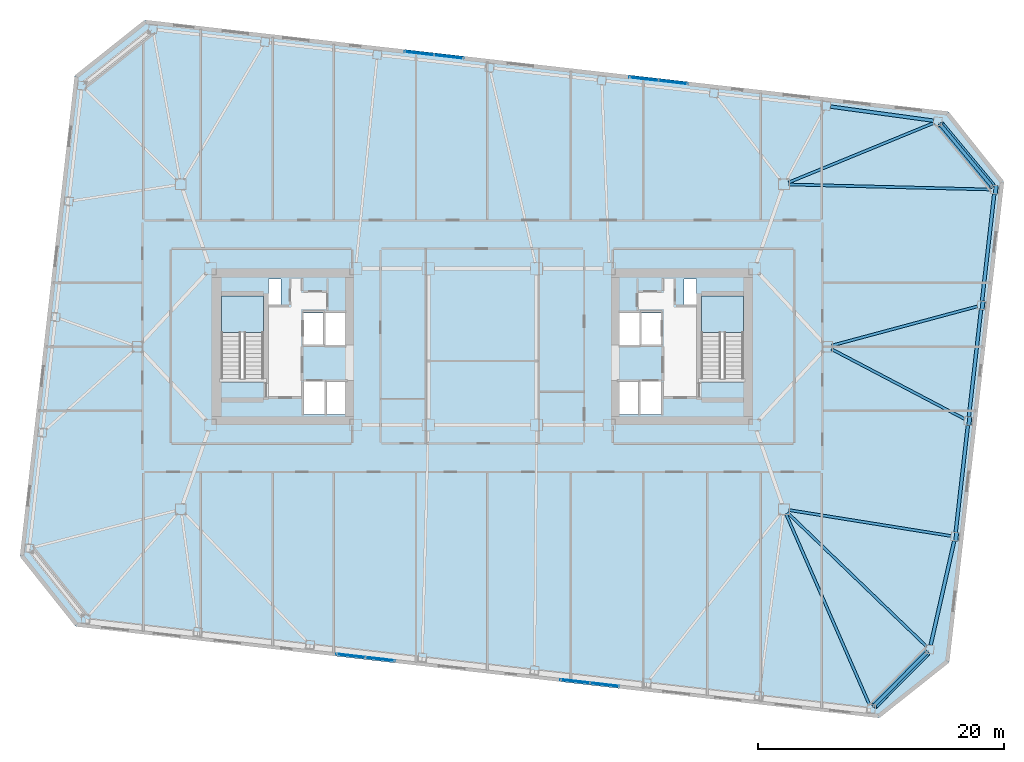
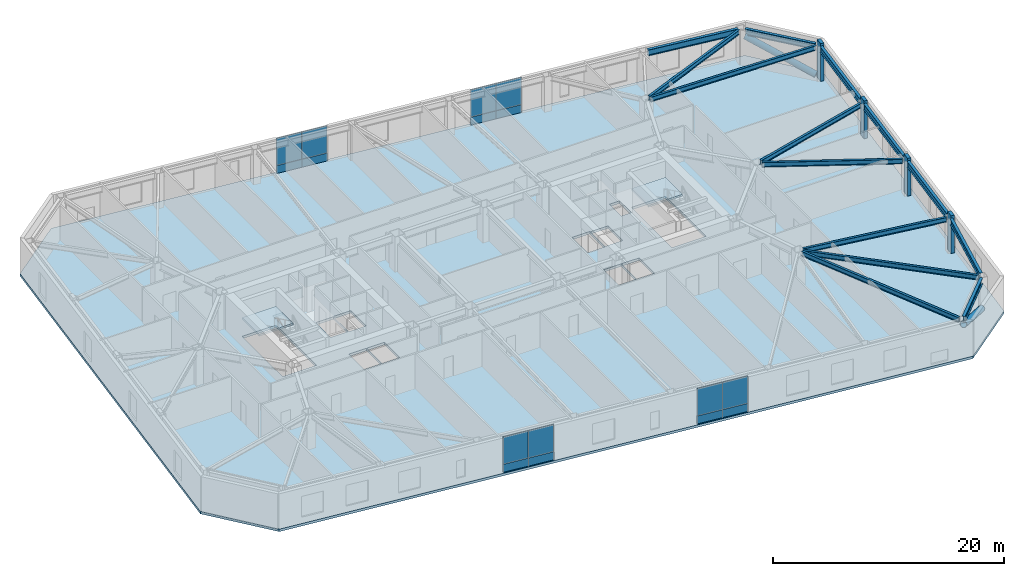
# One storey, part 10 of 21: 16 plates, 14 beams, 6 members, 3 slabs, 6 elements without a shape of their own.
"""IFC4 building model written with IfcOpenShell, lengths in metres."""

from ifc_helpers import new_model, si_unit, direction, frame, origin, origin_2d, place, context, subcontext, project, spatial, polyline, rectangle, hollow_circle, i_section, outline, extrude, material, layer, layer_set, material_profile, profile_set, type_object, element, aggregate, save


model = new_model("IFC4")

# Units and contexts
model_context = context("Model", 3, precision=1e-05, world=origin(), true_north=direction((0.0, 1.0)))
body_context = subcontext(model_context, "Body", "Model", "MODEL_VIEW")
ifc_project = project(units=[si_unit("LENGTHUNIT", "METRE"), si_unit("AREAUNIT", "SQUARE_METRE"), si_unit("VOLUMEUNIT", "CUBIC_METRE"), si_unit("PLANEANGLEUNIT", "RADIAN"), si_unit("MASSUNIT", "GRAM", prefix="KILO")], contexts=[model_context])

# Site, building, storey
site_placement = place(None, origin())
site = spatial("IfcSite", under=ifc_project, at=site_placement, CompositionType="ELEMENT")
building_placement = place(site_placement, origin())
building = spatial("IfcBuilding", under=site, at=building_placement, Name="Tavrogorsk Clinical Tower", CompositionType="ELEMENT")
storey_placement = place(building_placement, frame((0.0, 0.0, 137.39990234375)))
storey = spatial("IfcBuildingStorey", under=building, at=storey_placement, Name="L31", CompositionType="ELEMENT", Elevation=137.39990234375)

# Members
ifc_material_1 = material(Name="Structural steel S440", Category="steel")
ifc_material_profile_1 = material_profile(ifc_material_1, hollow_circle(Radius=0.304931640625, WallThickness=0.02490234375, at=origin_2d()), Name="CHS-610x25")
ifc_profile_set_1 = profile_set([ifc_material_profile_1], Name="Structural steel S440")
member_type_1 = type_object("IfcMemberType", Name="ExoBrace_CHS610", PredefinedType="BRACE", material=ifc_profile_set_1)
member_1_placement = place(storey_placement, frame((36.1025390625, -24.82763671875, 0.4345703125), z_axis=(-0.651430241483, -0.659222469252, 0.375585378463), x_axis=(0.711298174517, -0.702890394677, 0.0)))
element("IfcMember", 1, at=member_1_placement, inside=storey, type_object=member_type_1, Name="L31 Corner Exoskeleton Brace S8-E1", PredefinedType="BRACE", context=body_context, shape_type="SweptSolid", body=[
    extrude(hollow_circle(Radius=0.304931640625, WallThickness=0.02490234375, at=origin_2d()), origin(), (0.0, 0.0, 1.0), 6.57958984375),
])
member_2_placement = place(storey_placement, frame((41.40771484375, 13.03076171875, 0.427001953125), z_axis=(-0.598616328588, 0.718269947263, 0.354607915882), x_axis=(-0.768190751014, -0.640221032189, 0.0)))
element("IfcMember", 2, at=member_2_placement, inside=storey, type_object=member_type_1, Name="L31 Corner Exoskeleton Brace E5-N1", PredefinedType="BRACE", context=body_context, shape_type="SweptSolid", body=[
    extrude(hollow_circle(Radius=0.304931640625, WallThickness=0.02490234375, at=origin_2d()), origin(), (0.0, 0.0, 1.0), 7.0107421875),
])

# Beams
ifc_material_2 = material(Name="Structural steel S355", Category="steel")
ifc_material_profile_2 = material_profile(ifc_material_2, i_section(OverallWidth=0.219970703125, OverallDepth=0.5, WebThickness=0.012939453125, FlangeThickness=0.02001953125, at=origin_2d()), Name="B-500x220x13x20")
ifc_profile_set_2 = profile_set([ifc_material_profile_2], Name="Structural steel S355")
beam_type_1 = type_object("IfcBeamType", Name="FloorBeam_B500", PredefinedType="BEAM", material=ifc_profile_set_2)
beam_1_placement = place(storey_placement, frame((24.664306640625, -13.57568359375, 3.489990234375), z_axis=(0.400586354613, -0.916259009504, 0.0), x_axis=(0.916259009504, 0.400586354613, 0.0)))
element("IfcBeam", 3, at=beam_1_placement, inside=storey, type_object=beam_type_1, Name="L31 Radial Floor Beam S8", PredefinedType="BEAM", context=body_context, shape_type="SweptSolid", body=[
    extrude(i_section(OverallWidth=0.219970703125, OverallDepth=0.5, WebThickness=0.012939453125, FlangeThickness=0.02001953125, at=origin_2d()), origin(), (0.0, 0.0, 1.0), 16.91357421875),
])
beam_2_placement = place(storey_placement, frame((24.87939453125, 13.35546875, 3.489990234375), z_axis=(0.925250223374, 0.379357383143, 0.0), x_axis=(-0.379357383143, 0.925250223374, 0.0)))
element("IfcBeam", 4, at=beam_2_placement, inside=storey, type_object=beam_type_1, Name="L31 Radial Floor Beam N1", PredefinedType="BEAM", context=body_context, shape_type="SweptSolid", body=[
    extrude(i_section(OverallWidth=0.219970703125, OverallDepth=0.5, WebThickness=0.012939453125, FlangeThickness=0.02001953125, at=origin_2d()), origin(), (0.0, 0.0, 1.0), 12.738037109375),
])
beam_3_placement = place(storey_placement, frame((24.79541015625, -13.484375, 3.489990234375), z_axis=(0.720494740362, -0.693460401977, 0.0), x_axis=(0.693460401977, 0.720494740362, 0.0)))
element("IfcBeam", 5, at=beam_3_placement, inside=storey, type_object=beam_type_1, Name="L31 Radial Floor Beam E1", PredefinedType="BEAM", context=body_context, shape_type="SweptSolid", body=[
    extrude(i_section(OverallWidth=0.219970703125, OverallDepth=0.5, WebThickness=0.012939453125, FlangeThickness=0.02001953125, at=origin_2d()), origin(), (0.0, 0.0, 1.0), 15.659423828125),
])
beam_4_placement = place(storey_placement, frame((24.90478515625, -13.2646484375, 3.489990234375), z_axis=(0.987456527754, -0.157891120067, 0.0), x_axis=(0.157891120067, 0.987456527754, 0.0)))
element("IfcBeam", 6, at=beam_4_placement, inside=storey, type_object=beam_type_1, Name="L31 Radial Floor Beam E2", PredefinedType="BEAM", context=body_context, shape_type="SweptSolid", body=[
    extrude(i_section(OverallWidth=0.219970703125, OverallDepth=0.5, WebThickness=0.012939453125, FlangeThickness=0.02001953125, at=origin_2d()), origin(), (0.0, 0.0, 1.0), 13.31787109375),
])
beam_5_placement = place(storey_placement, frame((28.363037109375, -0.1904296875, 3.489990234375), z_axis=(0.885467298335, -0.464701693111, 0.0), x_axis=(0.464701693111, 0.885467298335, 0.0)))
element("IfcBeam", 7, at=beam_5_placement, inside=storey, type_object=beam_type_1, Name="L31 Radial Floor Beam E3", PredefinedType="BEAM", context=body_context, shape_type="SweptSolid", body=[
    extrude(i_section(OverallWidth=0.219970703125, OverallDepth=0.5, WebThickness=0.012939453125, FlangeThickness=0.02001953125, at=origin_2d()), origin(), (0.0, 0.0, 1.0), 12.197021484375),
])
beam_6_placement = place(storey_placement, frame((28.39599609375, 0.1064453125, 3.489990234375), z_axis=(0.965705720144, 0.259639099677, 0.0), x_axis=(-0.259639099677, 0.965705720144, 0.0)))
element("IfcBeam", 8, at=beam_6_placement, inside=storey, type_object=beam_type_1, Name="L31 Radial Floor Beam E4", PredefinedType="BEAM", context=body_context, shape_type="SweptSolid", body=[
    extrude(i_section(OverallWidth=0.219970703125, OverallDepth=0.5, WebThickness=0.012939453125, FlangeThickness=0.02001953125, at=origin_2d()), origin(), (0.0, 0.0, 1.0), 12.228759765625),
])
beam_7_placement = place(storey_placement, frame((24.909912109375, 13.189697265625, 3.489990234375), z_axis=(0.999690121031, -0.024893009314, 0.0), x_axis=(0.024893009314, 0.999690121031, 0.0)))
element("IfcBeam", 9, at=beam_7_placement, inside=storey, type_object=beam_type_1, Name="L31 Radial Floor Beam E5", PredefinedType="BEAM", context=body_context, shape_type="SweptSolid", body=[
    extrude(i_section(OverallWidth=0.219970703125, OverallDepth=0.5, WebThickness=0.012939453125, FlangeThickness=0.02001953125, at=origin_2d()), origin(), (0.0, 0.0, 1.0), 16.359130859375),
])

# Members
ifc_material_3 = material(Name="Precast concrete B45 with limestone cladding", Category="masonry")
ifc_material_profile_3 = material_profile(ifc_material_3, rectangle(XDim=0.320068359375, YDim=0.719970703125, at=origin_2d()), Name="LIMESTONE-FIN-320x720")
ifc_profile_set_3 = profile_set([ifc_material_profile_3], Name="Precast concrete B45 with limestone cladding")
member_type_2 = type_object("IfcMemberType", Name="LimestonePleatFin_320x720", PredefinedType="USERDEFINED", material=ifc_profile_set_3)
for number, where, z_axis, x_axis, name in (
    (10, (38.48876953125, -15.432861328125, 0.0), (0.0, 0.0, 1.0), (0.993571855677, -0.113203213768, 0.0), "L31 E Pleated Stone Fin 1"),
    (11, (39.5595703125, -6.03369140625, 0.0), (0.0, 0.0, 1.0), (0.993571855677, -0.113203213768, 0.0), "L31 E Pleated Stone Fin 2"),
    (12, (40.63037109375, 3.365234375, 0.0), (0.0, 0.0, 1.0), (0.993571855677, -0.113203213768, 0.0), "L31 E Pleated Stone Fin 3"),
    (13, (41.701416015625, 12.7646484375, 0.0), (0.0, 0.0, 1.0), (0.993571855677, -0.113203213768, 0.0), "L31 E Pleated Stone Fin 4"),
):
    element("IfcMember", number, at=place(storey_placement, frame(where, z_axis=z_axis, x_axis=x_axis)), inside=storey, type_object=member_type_2, Name=name, ObjectType="FIN", PredefinedType="USERDEFINED", context=body_context, shape_type="SweptSolid", body=[
        extrude(rectangle(XDim=0.320068359375, YDim=0.719970703125, at=origin_2d()), origin(), (0.0, 0.0, 1.0), 4.0),
    ])

# Beams
ifc_material_4 = material(Name="Structural steel S390", Category="steel")
ifc_material_profile_4 = material_profile(ifc_material_4, i_section(OverallWidth=0.280029296875, OverallDepth=0.64990234375, WebThickness=0.01611328125, FlangeThickness=0.02490234375, at=origin_2d()), Name="B-650x280x16x25")
ifc_profile_set_4 = profile_set([ifc_material_profile_4], Name="Structural steel S390")
beam_type_2 = type_object("IfcBeamType", Name="SpandrelBeam_B650", PredefinedType="SPANDREL", material=ifc_profile_set_4)
beam_8_placement = place(storey_placement, frame((31.834716796875, -29.146240234375, 3.4150390625), z_axis=(0.702934929184, 0.711254163667, 0.0), x_axis=(-0.711254163667, 0.702934929184, 0.0)))
element("IfcBeam", 14, at=beam_8_placement, inside=storey, type_object=beam_type_2, Name="L31 Perimeter Spandrel S8-E1", PredefinedType="SPANDREL", context=body_context, shape_type="SweptSolid", body=[
    extrude(i_section(OverallWidth=0.280029296875, OverallDepth=0.64990234375, WebThickness=0.01611328125, FlangeThickness=0.02490234375, at=origin_2d()), origin(), (0.0, 0.0, 1.0), 6.04541015625),
])
beam_9_placement = place(storey_placement, frame((36.414794921875, -24.242431640625, 3.4150390625), z_axis=(0.220602599501, 0.975363774749, 0.0), x_axis=(-0.975363774749, 0.220602599501, 0.0)))
element("IfcBeam", 15, at=beam_9_placement, inside=storey, type_object=beam_type_2, Name="L31 Perimeter Spandrel E1-E2", PredefinedType="SPANDREL", context=body_context, shape_type="SweptSolid", body=[
    extrude(i_section(OverallWidth=0.280029296875, OverallDepth=0.64990234375, WebThickness=0.01611328125, FlangeThickness=0.02490234375, at=origin_2d()), origin(), (0.0, 0.0, 1.0), 8.68310546875),
])
for number, where, z_axis, x_axis, name in (
    (16, (38.44970703125, -15.068115234375, 3.4150390625), (0.113192226434, 0.993573107464, 0.0), (-0.993573107464, 0.113192226434, 0.0), "L31 Perimeter Spandrel E2-E3"),
    (17, (39.520751953125, -5.6689453125, 3.4150390625), (0.113192226434, 0.993573107464, 0.0), (-0.993573107464, 0.113192226434, 0.0), "L31 Perimeter Spandrel E3-E4"),
):
    element("IfcBeam", number, at=place(storey_placement, frame(where, z_axis=z_axis, x_axis=x_axis)), inside=storey, type_object=beam_type_2, Name=name, PredefinedType="SPANDREL", context=body_context, shape_type="SweptSolid", body=[
        extrude(i_section(OverallWidth=0.280029296875, OverallDepth=0.64990234375, WebThickness=0.01611328125, FlangeThickness=0.02490234375, at=origin_2d()), origin(), (0.0, 0.0, 1.0), 8.743896484375),
    ])
beam_10_placement = place(storey_placement, frame((40.591552734375, 3.72998046875, 3.4150390625), z_axis=(0.113189086379, 0.993573465188, 0.0), x_axis=(-0.993573465188, 0.113189086379, 0.0)))
element("IfcBeam", 18, at=beam_10_placement, inside=storey, type_object=beam_type_2, Name="L31 Perimeter Spandrel E4-E5", PredefinedType="SPANDREL", context=body_context, shape_type="SweptSolid", body=[
    extrude(i_section(OverallWidth=0.280029296875, OverallDepth=0.64990234375, WebThickness=0.01611328125, FlangeThickness=0.02490234375, at=origin_2d()), origin(), (0.0, 0.0, 1.0), 8.744140625),
])
beam_11_placement = place(storey_placement, frame((41.392578125, 13.048583984375, 3.4150390625), z_axis=(-0.640191778751, 0.768215130299, 0.0), x_axis=(-0.768215130299, -0.640191778751, 0.0)))
element("IfcBeam", 19, at=beam_11_placement, inside=storey, type_object=beam_type_2, Name="L31 Perimeter Spandrel E5-N1", PredefinedType="SPANDREL", context=body_context, shape_type="SweptSolid", body=[
    extrude(i_section(OverallWidth=0.280029296875, OverallDepth=0.64990234375, WebThickness=0.01611328125, FlangeThickness=0.02490234375, at=origin_2d()), origin(), (0.0, 0.0, 1.0), 6.508544921875),
])
beam_12_placement = place(storey_placement, frame((36.641845703125, 18.3720703125, 3.4150390625), z_axis=(-0.990722121657, 0.135903192232, 0.0), x_axis=(-0.135903192232, -0.990722121657, 0.0)))
element("IfcBeam", 20, at=beam_12_placement, inside=storey, type_object=beam_type_2, Name="L31 Perimeter Spandrel N1-N2", PredefinedType="SPANDREL", context=body_context, shape_type="SweptSolid", body=[
    extrude(i_section(OverallWidth=0.280029296875, OverallDepth=0.64990234375, WebThickness=0.01611328125, FlangeThickness=0.02490234375, at=origin_2d()), origin(), (0.0, 0.0, 1.0), 8.439697265625),
])

# Curtain wall, plates
ifc_material_5 = material(Name="Anodised aluminium and triple IGU glazing", Category="aluminium")
ifc_layer_1 = layer(ifc_material_5, 0.179931640625)
ifc_layer_set_1 = layer_set([ifc_layer_1], Name="Anodised aluminium and triple IGU glazing")
curtain_wall_type_1 = type_object("IfcCurtainWallType", Name="CW3_SouthSlot", PredefinedType="NOTDEFINED", material=ifc_layer_set_1)
curtain_wall_1_placement = place(storey_placement, origin())
curtain_wall_1 = element("IfcCurtainWall", 21, at=curtain_wall_1_placement, inside=storey, type_object=curtain_wall_type_1, Name="L31 Curtain Wall CW-L31-S-SLOT-1", PredefinedType="NOTDEFINED")
ifc_material_6 = material(Name="Honed Podolsk limestone spandrel panel", Category="masonry")
ifc_layer_2 = layer(ifc_material_6, 0.080078125)
ifc_layer_set_2 = layer_set([ifc_layer_2], Name="Honed Podolsk limestone spandrel panel")
plate_type_1 = type_object("IfcPlateType", Name="CwSpandrelStonePanel_80", PredefinedType="CURTAIN_PANEL", material=ifc_layer_set_2)
plate_1_placement = place(storey_placement, frame((-10.70654296875, -25.095947265625, 0.002197265625), z_axis=(0.0, 0.0, 1.0), x_axis=(0.993571855603, -0.11320321441, 0.0)))
plate_1 = element("IfcPlate", 22, at=plate_1_placement, type_object=plate_type_1, Name="CW-L31-S-SLOT-1 Stone Spandrel Panel 1", PredefinedType="CURTAIN_PANEL", context=body_context, shape_type="SweptSolid", body=[
    extrude(rectangle(XDim=2.39208984375, YDim=0.080078125, at=origin_2d()), origin(), (0.0, 0.0, 1.0), 0.8359375),
])
plate_2_placement = place(storey_placement, frame((-8.30615234375, -25.36962890625, 0.002197265625), z_axis=(0.0, 0.0, 1.0), x_axis=(0.993571855603, -0.11320321441, 0.0)))
plate_2 = element("IfcPlate", 23, at=plate_2_placement, type_object=plate_type_1, Name="CW-L31-S-SLOT-1 Stone Spandrel Panel 2", PredefinedType="CURTAIN_PANEL", context=body_context, shape_type="SweptSolid", body=[
    extrude(rectangle(XDim=2.39208984375, YDim=0.080078125, at=origin_2d()), origin(), (0.0, 0.0, 1.0), 0.8359375),
])

curtain_wall_2_placement = place(storey_placement, origin())
curtain_wall_2 = element("IfcCurtainWall", 24, at=curtain_wall_2_placement, inside=storey, type_object=curtain_wall_type_1, Name="L31 Curtain Wall CW-L31-S-SLOT-2", PredefinedType="NOTDEFINED")
plate_3_placement = place(storey_placement, frame((7.52978515625, -27.173828125, 0.002197265625), z_axis=(0.0, 0.0, 1.0), x_axis=(0.993571858269, -0.113203191016, 0.0)))
plate_3 = element("IfcPlate", 25, at=plate_3_placement, type_object=plate_type_1, Name="CW-L31-S-SLOT-2 Stone Spandrel Panel 1", PredefinedType="CURTAIN_PANEL", context=body_context, shape_type="SweptSolid", body=[
    extrude(rectangle(XDim=2.39208984375, YDim=0.080078125, at=origin_2d()), origin(), (0.0, 0.0, 1.0), 0.8359375),
])
plate_4_placement = place(storey_placement, frame((9.93017578125, -27.447265625, 0.002197265625), z_axis=(0.0, 0.0, 1.0), x_axis=(0.993571858269, -0.113203191016, 0.0)))
plate_4 = element("IfcPlate", 26, at=plate_4_placement, type_object=plate_type_1, Name="CW-L31-S-SLOT-2 Stone Spandrel Panel 2", PredefinedType="CURTAIN_PANEL", context=body_context, shape_type="SweptSolid", body=[
    extrude(rectangle(XDim=2.39208984375, YDim=0.080078125, at=origin_2d()), origin(), (0.0, 0.0, 1.0), 0.8359375),
])

ifc_material_7 = material(Name="Anodised aluminium and triple IGU glazing", Category="aluminium")
ifc_layer_3 = layer(ifc_material_7, 0.179931640625)
ifc_layer_set_3 = layer_set([ifc_layer_3], Name="Anodised aluminium and triple IGU glazing")
curtain_wall_type_2 = type_object("IfcCurtainWallType", Name="CW2_NorthSlot", PredefinedType="NOTDEFINED", material=ifc_layer_set_3)
curtain_wall_3_placement = place(storey_placement, origin())
curtain_wall_3 = element("IfcCurtainWall", 27, at=curtain_wall_3_placement, inside=storey, type_object=curtain_wall_type_2, Name="L31 Curtain Wall CW-L31-N-SLOT-1", PredefinedType="NOTDEFINED")
plate_5_placement = place(storey_placement, frame((-2.729736328125, 23.57373046875, 0.002197265625), z_axis=(0.0, 0.0, 1.0), x_axis=(-0.993571858269, 0.113203191016, 0.0)))
plate_5 = element("IfcPlate", 28, at=plate_5_placement, type_object=plate_type_1, Name="CW-L31-N-SLOT-1 Stone Spandrel Panel 1", PredefinedType="CURTAIN_PANEL", context=body_context, shape_type="SweptSolid", body=[
    extrude(rectangle(XDim=2.39208984375, YDim=0.080078125, at=origin_2d()), origin(), (0.0, 0.0, 1.0), 0.8359375),
])
plate_6_placement = place(storey_placement, frame((-5.130126953125, 23.847412109375, 0.002197265625), z_axis=(0.0, 0.0, 1.0), x_axis=(-0.993571858269, 0.113203191016, 0.0)))
plate_6 = element("IfcPlate", 29, at=plate_6_placement, type_object=plate_type_1, Name="CW-L31-N-SLOT-1 Stone Spandrel Panel 2", PredefinedType="CURTAIN_PANEL", context=body_context, shape_type="SweptSolid", body=[
    extrude(rectangle(XDim=2.39208984375, YDim=0.080078125, at=origin_2d()), origin(), (0.0, 0.0, 1.0), 0.8359375),
])

curtain_wall_4_placement = place(storey_placement, origin())
curtain_wall_4 = element("IfcCurtainWall", 30, at=curtain_wall_4_placement, inside=storey, type_object=curtain_wall_type_2, Name="L31 Curtain Wall CW-L31-N-SLOT-2", PredefinedType="NOTDEFINED")
plate_7_placement = place(storey_placement, frame((15.506591796875, 21.49609375, 0.002197265625), z_axis=(0.0, 0.0, 1.0), x_axis=(-0.993571855603, 0.11320321441, 0.0)))
plate_7 = element("IfcPlate", 31, at=plate_7_placement, type_object=plate_type_1, Name="CW-L31-N-SLOT-2 Stone Spandrel Panel 1", PredefinedType="CURTAIN_PANEL", context=body_context, shape_type="SweptSolid", body=[
    extrude(rectangle(XDim=2.39208984375, YDim=0.080078125, at=origin_2d()), origin(), (0.0, 0.0, 1.0), 0.8359375),
])
plate_8_placement = place(storey_placement, frame((13.106201171875, 21.76953125, 0.002197265625), z_axis=(0.0, 0.0, 1.0), x_axis=(-0.993571855603, 0.11320321441, 0.0)))
plate_8 = element("IfcPlate", 32, at=plate_8_placement, type_object=plate_type_1, Name="CW-L31-N-SLOT-2 Stone Spandrel Panel 2", PredefinedType="CURTAIN_PANEL", context=body_context, shape_type="SweptSolid", body=[
    extrude(rectangle(XDim=2.39208984375, YDim=0.080078125, at=origin_2d()), origin(), (0.0, 0.0, 1.0), 0.8359375),
])

# Plate
ifc_material_8 = material(Name="Triple low-E argon insulated glass", Category="glass")
ifc_layer_4 = layer(ifc_material_8, 0.048095703125)
ifc_layer_set_4 = layer_set([ifc_layer_4], Name="Triple low-E argon insulated glass")
plate_type_2 = type_object("IfcPlateType", Name="CwVisionGlassPanel_48", PredefinedType="CURTAIN_PANEL", material=ifc_layer_set_4)
plate_9_placement = place(storey_placement, frame((-10.70654296875, -25.095947265625, 0.862060546875), z_axis=(0.0, 0.0, 1.0), x_axis=(0.993571855603, -0.11320321441, 0.0)))
plate_9 = element("IfcPlate", 33, at=plate_9_placement, type_object=plate_type_2, Name="CW-L31-S-SLOT-1 Glazing Panel 1", PredefinedType="CURTAIN_PANEL", context=body_context, shape_type="SweptSolid", body=[
    extrude(rectangle(XDim=2.39208984375, YDim=0.048095703125, at=origin_2d()), origin(), (0.0, 0.0, 1.0), 2.8759765625),
])

plate_10_placement = place(storey_placement, frame((-8.30615234375, -25.36962890625, 0.862060546875), z_axis=(0.0, 0.0, 1.0), x_axis=(0.993571855603, -0.11320321441, 0.0)))
plate_10 = element("IfcPlate", 34, at=plate_10_placement, type_object=plate_type_2, Name="CW-L31-S-SLOT-1 Glazing Panel 2", PredefinedType="CURTAIN_PANEL", context=body_context, shape_type="SweptSolid", body=[
    extrude(rectangle(XDim=2.39208984375, YDim=0.048095703125, at=origin_2d()), origin(), (0.0, 0.0, 1.0), 2.8759765625),
])

aggregate(curtain_wall_1, [plate_1, plate_9, plate_2, plate_10])

plate_11_placement = place(storey_placement, frame((7.52978515625, -27.173828125, 0.862060546875), z_axis=(0.0, 0.0, 1.0), x_axis=(0.993571858269, -0.113203191016, 0.0)))
plate_11 = element("IfcPlate", 35, at=plate_11_placement, type_object=plate_type_2, Name="CW-L31-S-SLOT-2 Glazing Panel 1", PredefinedType="CURTAIN_PANEL", context=body_context, shape_type="SweptSolid", body=[
    extrude(rectangle(XDim=2.39208984375, YDim=0.048095703125, at=origin_2d()), origin(), (0.0, 0.0, 1.0), 2.8759765625),
])

plate_12_placement = place(storey_placement, frame((9.93017578125, -27.447265625, 0.862060546875), z_axis=(0.0, 0.0, 1.0), x_axis=(0.993571858269, -0.113203191016, 0.0)))
plate_12 = element("IfcPlate", 36, at=plate_12_placement, type_object=plate_type_2, Name="CW-L31-S-SLOT-2 Glazing Panel 2", PredefinedType="CURTAIN_PANEL", context=body_context, shape_type="SweptSolid", body=[
    extrude(rectangle(XDim=2.39208984375, YDim=0.048095703125, at=origin_2d()), origin(), (0.0, 0.0, 1.0), 2.8759765625),
])

aggregate(curtain_wall_2, [plate_3, plate_11, plate_4, plate_12])

plate_13_placement = place(storey_placement, frame((-2.729736328125, 23.57373046875, 0.862060546875), z_axis=(0.0, 0.0, 1.0), x_axis=(-0.993571858269, 0.113203191016, 0.0)))
plate_13 = element("IfcPlate", 37, at=plate_13_placement, type_object=plate_type_2, Name="CW-L31-N-SLOT-1 Glazing Panel 1", PredefinedType="CURTAIN_PANEL", context=body_context, shape_type="SweptSolid", body=[
    extrude(rectangle(XDim=2.39208984375, YDim=0.048095703125, at=origin_2d()), origin(), (0.0, 0.0, 1.0), 2.8759765625),
])

plate_14_placement = place(storey_placement, frame((-5.130126953125, 23.847412109375, 0.862060546875), z_axis=(0.0, 0.0, 1.0), x_axis=(-0.993571858269, 0.113203191016, 0.0)))
plate_14 = element("IfcPlate", 38, at=plate_14_placement, type_object=plate_type_2, Name="CW-L31-N-SLOT-1 Glazing Panel 2", PredefinedType="CURTAIN_PANEL", context=body_context, shape_type="SweptSolid", body=[
    extrude(rectangle(XDim=2.39208984375, YDim=0.048095703125, at=origin_2d()), origin(), (0.0, 0.0, 1.0), 2.8759765625),
])

aggregate(curtain_wall_3, [plate_5, plate_13, plate_6, plate_14])

plate_15_placement = place(storey_placement, frame((15.506591796875, 21.49609375, 0.862060546875), z_axis=(0.0, 0.0, 1.0), x_axis=(-0.993571855603, 0.11320321441, 0.0)))
plate_15 = element("IfcPlate", 39, at=plate_15_placement, type_object=plate_type_2, Name="CW-L31-N-SLOT-2 Glazing Panel 1", PredefinedType="CURTAIN_PANEL", context=body_context, shape_type="SweptSolid", body=[
    extrude(rectangle(XDim=2.39208984375, YDim=0.048095703125, at=origin_2d()), origin(), (0.0, 0.0, 1.0), 2.8759765625),
])

plate_16_placement = place(storey_placement, frame((13.106201171875, 21.76953125, 0.862060546875), z_axis=(0.0, 0.0, 1.0), x_axis=(-0.993571855603, 0.11320321441, 0.0)))
plate_16 = element("IfcPlate", 40, at=plate_16_placement, type_object=plate_type_2, Name="CW-L31-N-SLOT-2 Glazing Panel 2", PredefinedType="CURTAIN_PANEL", context=body_context, shape_type="SweptSolid", body=[
    extrude(rectangle(XDim=2.39208984375, YDim=0.048095703125, at=origin_2d()), origin(), (0.0, 0.0, 1.0), 2.8759765625),
])

aggregate(curtain_wall_4, [plate_7, plate_15, plate_8, plate_16])

# Stair, slab
ifc_material_9 = material(Name="Concrete B60", Category="concrete")
stair_type = type_object("IfcStairType", Name="CoreStairAssembly", PredefinedType="HALF_TURN_STAIR", material=ifc_material_9)
stair_1_placement = place(storey_placement, origin())
stair_1 = element("IfcStair", 41, at=stair_1_placement, inside=storey, type_object=stair_type, Name="L31 ST-W", PredefinedType="HALF_TURN_STAIR")
ifc_material_10 = material(Name="Concrete B60", Category="concrete")
ifc_layer_5 = layer(ifc_material_10, 0.199951171875)
ifc_layer_set_5 = layer_set([ifc_layer_5], Name="Concrete B60")
slab_type_1 = type_object("IfcSlabType", Name="StairLanding_200", PredefinedType="LANDING", material=ifc_layer_set_5)
slab_1_placement = place(storey_placement, frame((0.0, 0.0, 1.800048828125)))
slab_1 = element("IfcSlab", 42, at=slab_1_placement, type_object=slab_type_1, Name="ST-W landing 1", PredefinedType="LANDING", context=body_context, shape_type="SweptSolid", body=[
    extrude(outline(polyline([(-17.800048828125, 1.1650390625), (-17.800048828125, 4.125), (-21.199951171875, 4.125), (-21.199951171875, 1.1650390625), (-17.800048828125, 1.1650390625)])), origin(), (0.0, 0.0, 1.0), 0.199951171875),
])
aggregate(stair_1, [slab_1])

stair_2_placement = place(storey_placement, origin())
stair_2 = element("IfcStair", 43, at=stair_2_placement, inside=storey, type_object=stair_type, Name="L31 ST-E", PredefinedType="HALF_TURN_STAIR")
slab_2_placement = place(storey_placement, frame((0.0, 0.0, 1.800048828125)))
slab_2 = element("IfcSlab", 44, at=slab_2_placement, type_object=slab_type_1, Name="ST-E landing 1", PredefinedType="LANDING", context=body_context, shape_type="SweptSolid", body=[
    extrude(outline(polyline([(21.199951171875, 1.1650390625), (21.199951171875, 4.125), (17.800048828125, 4.125), (17.800048828125, 1.1650390625), (21.199951171875, 1.1650390625)])), origin(), (0.0, 0.0, 1.0), 0.199951171875),
])
aggregate(stair_2, [slab_2])

# Slab
ifc_material_11 = material(Name="Concrete B60", Category="concrete")
ifc_layer_6 = layer(ifc_material_11, 0.260009765625)
ifc_layer_set_6 = layer_set([ifc_layer_6], Name="Concrete B60")
slab_type_2 = type_object("IfcSlabType", Name="WardSlab_260", PredefinedType="FLOOR", material=ifc_layer_set_6)
slab_3_placement = place(storey_placement, frame((0.0, 0.0, -0.260009765625)))
element("IfcSlab", 45, at=slab_3_placement, inside=storey, type_object=slab_type_2, Name="L31 Structural Slab", PredefinedType="FLOOR", context=body_context, shape_type="SweptSolid", body=[
    extrude(outline(polyline([(-32.99658203125, -22.7275390625), (32.181640625, -30.153564453125), (37.93701171875, -25.57568359375), (42.37451171875, 13.372314453125), (37.796630859375, 19.12744140625), (-27.381591796875, 26.5537109375), (-33.136962890625, 21.9755859375), (-37.574462890625, -16.972412109375), (-32.99658203125, -22.7275390625)]), holes=[polyline([(-17.800048828125, -2.8798828125), (-17.800048828125, 4.125), (-21.199951171875, 4.125), (-21.199951171875, -2.8798828125), (-17.800048828125, -2.8798828125)]), polyline([(21.199951171875, -2.8798828125), (21.199951171875, 4.125), (17.800048828125, 4.125), (17.800048828125, -2.8798828125), (21.199951171875, -2.8798828125)]), polyline([(-14.6201171875, 0.169921875), (-12.860107421875, 0.169921875), (-12.860107421875, 2.72998046875), (-14.6201171875, 2.72998046875), (-14.6201171875, 0.169921875)]), polyline([(-14.530029296875, -5.47998046875), (-12.77001953125, -5.47998046875), (-12.77001953125, -2.820068359375), (-14.530029296875, -2.820068359375), (-14.530029296875, -5.47998046875)]), polyline([(-12.72998046875, -5.47998046875), (-10.969970703125, -5.47998046875), (-10.969970703125, -2.820068359375), (-12.72998046875, -2.820068359375), (-12.72998046875, -5.47998046875)]), polyline([(-12.840087890625, 0.1201171875), (-11.080078125, 0.1201171875), (-11.080078125, 2.780029296875), (-12.840087890625, 2.780029296875), (-12.840087890625, 0.1201171875)]), polyline([(12.860107421875, 0.169921875), (14.6201171875, 0.169921875), (14.6201171875, 2.72998046875), (12.860107421875, 2.72998046875), (12.860107421875, 0.169921875)]), polyline([(12.77001953125, -5.47998046875), (14.530029296875, -5.47998046875), (14.530029296875, -2.820068359375), (12.77001953125, -2.820068359375), (12.77001953125, -5.47998046875)]), polyline([(10.969970703125, -5.47998046875), (12.72998046875, -5.47998046875), (12.72998046875, -2.820068359375), (10.969970703125, -2.820068359375), (10.969970703125, -5.47998046875)]), polyline([(11.080078125, 0.1201171875), (12.840087890625, 0.1201171875), (12.840087890625, 2.780029296875), (11.080078125, 2.780029296875), (11.080078125, 0.1201171875)]), polyline([(-17.3798828125, 3.449951171875), (-16.3798828125, 3.449951171875), (-16.3798828125, 5.5), (-17.3798828125, 5.5), (-17.3798828125, 3.449951171875)]), polyline([(16.3798828125, 3.449951171875), (17.3798828125, 3.449951171875), (17.3798828125, 5.5), (16.3798828125, 5.5), (16.3798828125, 3.449951171875)])]), origin(), (0.0, 0.0, 1.0), 0.260009765625),
])

save(model, "model.ifc")
